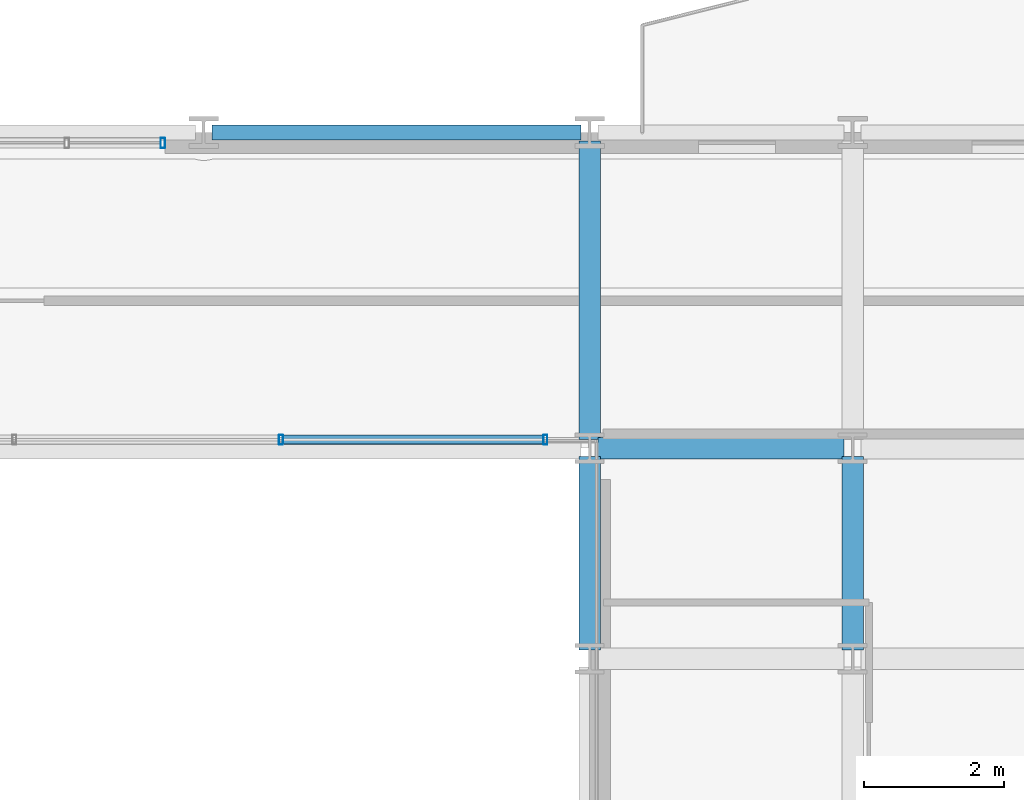
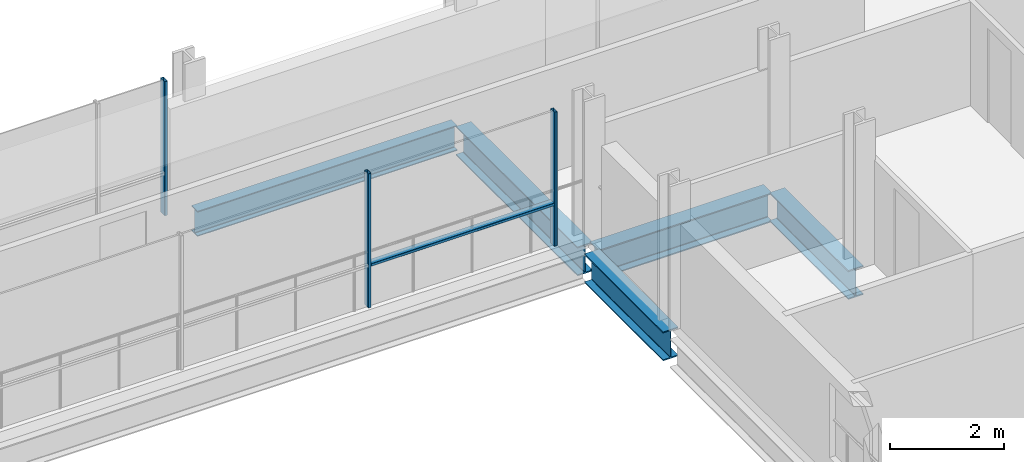
# One storey, part 17 of 38: 5 beams, 4 members, 2 elements without a shape of their own.
"""IFC4 building model written with IfcOpenShell, lengths in metres."""

from ifc_helpers import new_model, si_unit, direction, frame, origin, origin_2d, place, context, subcontext, project, spatial, hollow_rectangle, i_section, extrude, material, layer, layer_set, material_profile, profile_set, type_object, element, aggregate, save


model = new_model("IFC4")

# Units and contexts
model_context = context("Model", 3, precision=1e-05, world=origin(), true_north=direction((0.0, 1.0)))
body_context = subcontext(model_context, "Body", "Model", "MODEL_VIEW")
ifc_project = project(units=[si_unit("LENGTHUNIT", "METRE"), si_unit("AREAUNIT", "SQUARE_METRE"), si_unit("VOLUMEUNIT", "CUBIC_METRE"), si_unit("PLANEANGLEUNIT", "RADIAN"), si_unit("MASSUNIT", "GRAM", prefix="KILO")], contexts=[model_context])

# Site, building, storey
site_placement = place(None, origin())
site = spatial("IfcSite", under=ifc_project, at=site_placement, CompositionType="ELEMENT")
building_placement = place(site_placement, origin())
building = spatial("IfcBuilding", under=site, at=building_placement, Name="Brevholm Reach", CompositionType="ELEMENT")
storey_placement = place(building_placement, frame((0.0, 0.0, 65.199951171875)))
storey = spatial("IfcBuildingStorey", under=building, at=storey_placement, Name="L18", CompositionType="ELEMENT", Elevation=65.199951171875)

# Beams
ifc_material_1 = material(Name="Structural Steel S355J2", Category="steel")
ifc_material_profile_1 = material_profile(ifc_material_1, i_section(OverallWidth=0.210693359375, OverallDepth=0.53955078125, WebThickness=0.01171875, FlangeThickness=0.018798828125, FilletRadius=0.0126953125, at=origin_2d()), Name="UKB 533x210x109")
ifc_profile_set_1 = profile_set([ifc_material_profile_1], Name="Structural Steel S355J2")
beam_type_1 = type_object("IfcBeamType", Name="BM-SP539", PredefinedType="SPANDREL", material=ifc_profile_set_1)
beam_1_placement = place(storey_placement, frame((32.8701171875, 31.0, -0.499755859375), z_axis=(1.0, 0.0, 0.0), x_axis=(0.0, 1.0, 0.0)))
element("IfcBeam", 1, at=beam_1_placement, inside=storey, type_object=beam_type_1, Name="L18 SP-01B Framing Beam", PredefinedType="SPANDREL", context=body_context, shape_type="SweptSolid", body=[
    extrude(i_section(OverallWidth=0.210693359375, OverallDepth=0.53955078125, WebThickness=0.01171875, FlangeThickness=0.018798828125, FilletRadius=0.0126953125, at=origin_2d()), origin(), (0.0, 0.0, 1.0), 5.259765625),
])
ifc_material_2 = material(Name="Structural Steel S355J2", Category="steel")
ifc_material_profile_2 = material_profile(ifc_material_2, i_section(OverallWidth=0.30712890625, OverallDepth=0.6201171875, WebThickness=0.01416015625, FlangeThickness=0.023681640625, FilletRadius=0.0166015625, at=origin_2d()), Name="UKB 610x305x179")
ifc_profile_set_2 = profile_set([ifc_material_profile_2], Name="Structural Steel S355J2")
beam_type_2 = type_object("IfcBeamType", Name="BM-UKB610H", PredefinedType="USERDEFINED", material=ifc_profile_set_2)
beam_2_placement = place(storey_placement, frame((38.3701171875, 26.5, -0.5400390625), z_axis=(1.0, 0.0, 0.0), x_axis=(0.0, 1.0, 0.0)))
element("IfcBeam", 2, at=beam_2_placement, inside=storey, type_object=beam_type_2, Name="L18 G-06 Framing Beam", ObjectType="GIRDER", PredefinedType="USERDEFINED", context=body_context, shape_type="SweptSolid", body=[
    extrude(i_section(OverallWidth=0.30712890625, OverallDepth=0.6201171875, WebThickness=0.01416015625, FlangeThickness=0.023681640625, FilletRadius=0.0166015625, at=origin_2d()), origin(), (0.0, 0.0, 1.0), 3.509765625),
])
beam_3_placement = place(storey_placement, frame((38.25, 23.6201171875, -0.5400390625), z_axis=(0.0, 1.0, 0.0), x_axis=(-1.0, 0.0, 0.0)))
element("IfcBeam", 3, at=beam_3_placement, inside=storey, type_object=beam_type_2, Name="L18 G-06 Framing Beam", ObjectType="GIRDER", PredefinedType="USERDEFINED", context=body_context, shape_type="SweptSolid", body=[
    extrude(i_section(OverallWidth=0.30712890625, OverallDepth=0.6201171875, WebThickness=0.01416015625, FlangeThickness=0.023681640625, FilletRadius=0.0166015625, at=origin_2d()), origin(), (0.0, 0.0, 1.0), 2.759765625),
])
beam_4_placement = place(storey_placement, frame((38.25, 26.6201171875, -0.5400390625), z_axis=(0.0, 1.0, 0.0), x_axis=(-1.0, 0.0, 0.0)))
element("IfcBeam", 4, at=beam_4_placement, inside=storey, type_object=beam_type_2, Name="L18 G-06 Framing Beam", ObjectType="GIRDER", PredefinedType="USERDEFINED", context=body_context, shape_type="SweptSolid", body=[
    extrude(i_section(OverallWidth=0.30712890625, OverallDepth=0.6201171875, WebThickness=0.01416015625, FlangeThickness=0.023681640625, FilletRadius=0.0166015625, at=origin_2d()), origin(), (0.0, 0.0, 1.0), 4.259765625),
])
beam_5_placement = place(storey_placement, frame((42.0, 23.6201171875, -0.5400390625), z_axis=(0.0, 1.0, 0.0), x_axis=(-1.0, 0.0, 0.0)))
element("IfcBeam", 5, at=beam_5_placement, inside=storey, type_object=beam_type_2, Name="L18 G-06 Framing Beam", ObjectType="GIRDER", PredefinedType="USERDEFINED", context=body_context, shape_type="SweptSolid", body=[
    extrude(i_section(OverallWidth=0.30712890625, OverallDepth=0.6201171875, WebThickness=0.01416015625, FlangeThickness=0.023681640625, FilletRadius=0.0166015625, at=origin_2d()), origin(), (0.0, 0.0, 1.0), 2.759765625),
])

# Curtain wall, members
ifc_material_3 = material(Name="Dark Anodised Aluminium 6063-T6 and Solar-Control Glass", Category="aluminium")
ifc_layer_1 = layer(ifc_material_3, 0.139892578125)
ifc_layer_set_1 = layer_set([ifc_layer_1], Name="Dark Anodised Aluminium 6063-T6 and Solar-Control Glass")
curtain_wall_type_1 = type_object("IfcCurtainWallType", Name="CW-02", PredefinedType="NOTDEFINED", material=ifc_layer_set_1)
curtain_wall_1_placement = place(storey_placement, origin())
curtain_wall_1 = element("IfcCurtainWall", 6, at=curtain_wall_1_placement, inside=storey, type_object=curtain_wall_type_1, Name="L18 Curtain Wall CW-02", PredefinedType="NOTDEFINED")
ifc_material_4 = material(Name="Dark Anodised Aluminium 6063-T6", Category="aluminium")
ifc_material_profile_3 = material_profile(ifc_material_4, hollow_rectangle(XDim=0.06005859375, YDim=0.139892578125, WallThickness=0.0048828125, InnerFilletRadius=0.0048828125, OuterFilletRadius=0.010009765625, at=origin_2d()), Name="RHS 140x60x5")
ifc_profile_set_3 = profile_set([ifc_material_profile_3], Name="Dark Anodised Aluminium 6063-T6")
member_type_1 = type_object("IfcMemberType", Name="CWM-140", PredefinedType="MULLION", material=ifc_profile_set_3)
member_1_placement = place(storey_placement, frame((37.6201171875, 26.6201171875, 0.0), z_axis=(0.0, 0.0, 1.0), x_axis=(-1.0, 0.0, 0.0)))
member_1 = element("IfcMember", 7, at=member_1_placement, type_object=member_type_1, Name="CM-140 Mullion 1", PredefinedType="MULLION", context=body_context, shape_type="SweptSolid", body=[
    extrude(hollow_rectangle(XDim=0.06005859375, YDim=0.139892578125, WallThickness=0.0048828125, InnerFilletRadius=0.0048828125, OuterFilletRadius=0.010009765625, at=origin_2d()), origin(), (0.0, 0.0, 1.0), 2.8701171875),
])
member_2_placement = place(storey_placement, frame((33.85009765625, 26.6201171875, 0.0), z_axis=(0.0, 0.0, 1.0), x_axis=(-1.0, 0.0, 0.0)))
member_2 = element("IfcMember", 8, at=member_2_placement, type_object=member_type_1, Name="CM-140 Mullion 2", PredefinedType="MULLION", context=body_context, shape_type="SweptSolid", body=[
    extrude(hollow_rectangle(XDim=0.06005859375, YDim=0.139892578125, WallThickness=0.0048828125, InnerFilletRadius=0.0048828125, OuterFilletRadius=0.010009765625, at=origin_2d()), origin(), (0.0, 0.0, 1.0), 2.8701171875),
])

# Curtain wall, member
ifc_material_5 = material(Name="Dark Anodised Aluminium 6063-T6 and Solar-Control Glass", Category="aluminium")
ifc_layer_2 = layer(ifc_material_5, 0.14990234375)
ifc_layer_set_2 = layer_set([ifc_layer_2], Name="Dark Anodised Aluminium 6063-T6 and Solar-Control Glass")
curtain_wall_type_2 = type_object("IfcCurtainWallType", Name="CW-01", PredefinedType="NOTDEFINED", material=ifc_layer_set_2)
curtain_wall_2_placement = place(storey_placement, origin())
curtain_wall_2 = element("IfcCurtainWall", 9, at=curtain_wall_2_placement, inside=storey, type_object=curtain_wall_type_2, Name="L18 Curtain Wall CW-01", PredefinedType="NOTDEFINED")
ifc_material_6 = material(Name="Dark Anodised Aluminium 6063-T6", Category="aluminium")
ifc_material_profile_4 = material_profile(ifc_material_6, hollow_rectangle(XDim=0.06494140625, YDim=0.14990234375, WallThickness=0.0048828125, InnerFilletRadius=0.0048828125, OuterFilletRadius=0.010009765625, at=origin_2d()), Name="RHS 150x65x5")
ifc_profile_set_4 = profile_set([ifc_material_profile_4], Name="Dark Anodised Aluminium 6063-T6")
member_type_2 = type_object("IfcMemberType", Name="CWM-150", PredefinedType="MULLION", material=ifc_profile_set_4)
member_3_placement = place(storey_placement, frame((32.16748046875, 30.85009765625, 0.0), z_axis=(0.0, 0.0, 1.0), x_axis=(1.0, 0.0, 0.0)))
member_3 = element("IfcMember", 10, at=member_3_placement, type_object=member_type_2, Name="CM-150 Mullion 3", PredefinedType="MULLION", context=body_context, shape_type="SweptSolid", body=[
    extrude(hollow_rectangle(XDim=0.06494140625, YDim=0.14990234375, WallThickness=0.0048828125, InnerFilletRadius=0.0048828125, OuterFilletRadius=0.010009765625, at=origin_2d()), origin(), (0.0, 0.0, 1.0), 2.8701171875),
])
aggregate(curtain_wall_2, [member_3])

# Member
ifc_material_7 = material(Name="Dark Anodised Aluminium 6063-T6", Category="aluminium")
ifc_material_profile_5 = material_profile(ifc_material_7, hollow_rectangle(XDim=0.06005859375, YDim=0.139892578125, WallThickness=0.0048828125, InnerFilletRadius=0.0048828125, OuterFilletRadius=0.010009765625, at=origin_2d()), Name="RHS 140x60x5")
ifc_profile_set_5 = profile_set([ifc_material_profile_5], Name="Dark Anodised Aluminium 6063-T6")
member_type_3 = type_object("IfcMemberType", Name="CWT-140", PredefinedType="NOTDEFINED", material=ifc_profile_set_5)
member_4_placement = place(storey_placement, frame((37.590087890625, 26.6201171875, 0.900146484375), z_axis=(-1.0, 0.0, 0.0), x_axis=(0.0, 0.0, 1.0)))
member_4 = element("IfcMember", 11, at=member_4_placement, type_object=member_type_3, Name="CT-140 Transom 1.1", ObjectType="TRANSOM", PredefinedType="USERDEFINED", context=body_context, shape_type="SweptSolid", body=[
    extrude(hollow_rectangle(XDim=0.06005859375, YDim=0.139892578125, WallThickness=0.0048828125, InnerFilletRadius=0.0048828125, OuterFilletRadius=0.010009765625, at=origin_2d()), origin(), (0.0, 0.0, 1.0), 3.710205078125),
])

aggregate(curtain_wall_1, [member_1, member_2, member_4])

save(model, "model.ifc")
